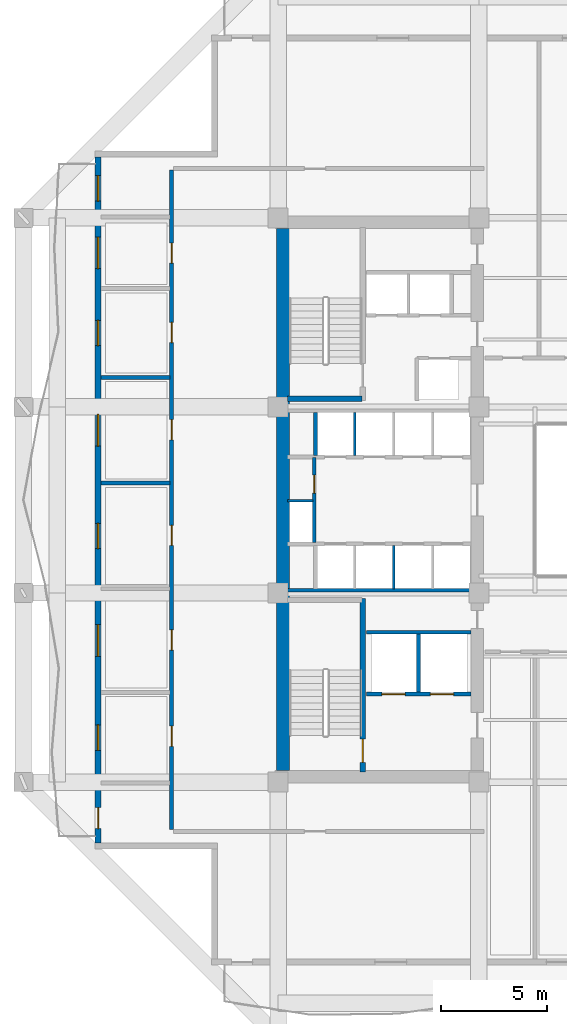
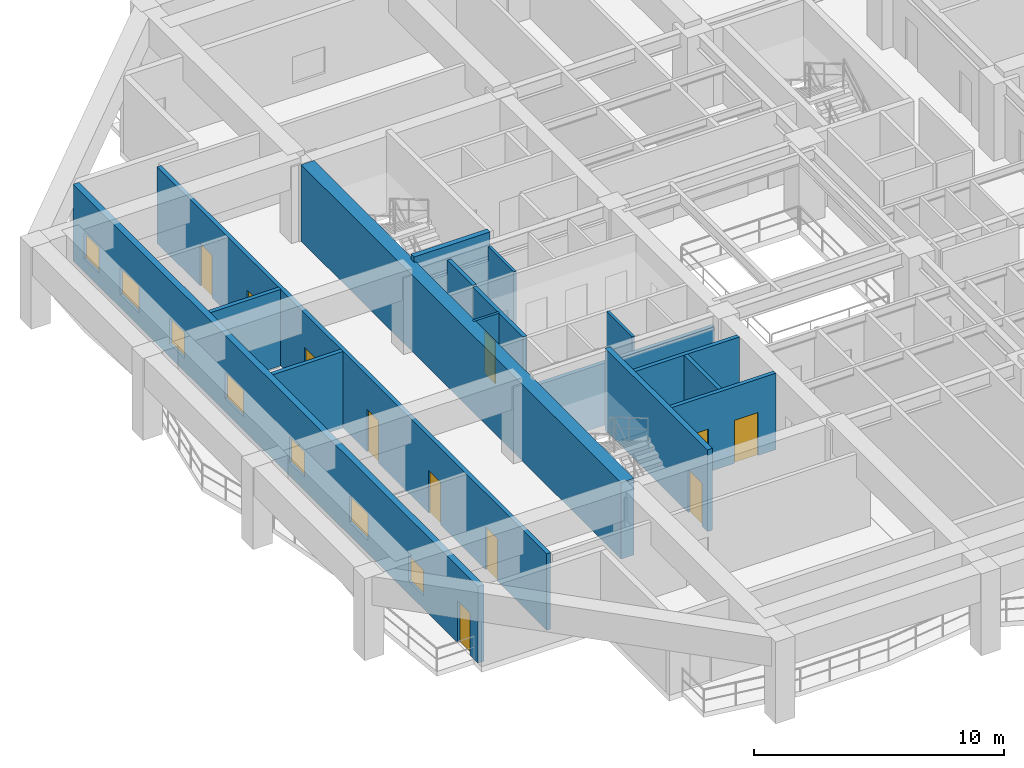
# One storey, part 3 of 13: 16 walls, 11 doors, 7 windows, 18 openings.
"""IFC4 building model written with IfcOpenShell, lengths in metres."""

from ifc_helpers import new_model, si_unit, direction, frame, frame_2d, origin, place, context, subcontext, project, spatial, rectangle, extrude, material, layer, layer_set, type_object, element, fill, save


model = new_model("IFC4")

# Units and contexts
model_context = context("Model", 3, precision=1e-05, world=origin(), true_north=direction((0.0, 1.0)))
body_context = subcontext(model_context, "Body", "Model", "MODEL_VIEW")
ifc_project = project(units=[si_unit("LENGTHUNIT", "METRE"), si_unit("AREAUNIT", "SQUARE_METRE"), si_unit("VOLUMEUNIT", "CUBIC_METRE"), si_unit("PLANEANGLEUNIT", "RADIAN"), si_unit("MASSUNIT", "GRAM", prefix="KILO")], contexts=[model_context])

# Site, building, storey
site_placement = place(None, origin())
site = spatial("IfcSite", under=ifc_project, at=site_placement, CompositionType="ELEMENT")
building_placement = place(site_placement, origin())
building = spatial("IfcBuilding", under=site, at=building_placement, Name="Kundavana Baori Tower", CompositionType="ELEMENT")
storey_placement = place(building_placement, frame((0.0, 0.0, 78.0)))
storey = spatial("IfcBuildingStorey", under=building, at=storey_placement, Name="L18", CompositionType="ELEMENT", Elevation=78.0)

# Wall, opening, door
ifc_material_1 = material(Name="Concrete C50/60", Category="concrete")
ifc_layer_1 = layer(ifc_material_1, 0.39990234375, Name="WL-CORE-400")
ifc_layer_set_1 = layer_set([ifc_layer_1], Name="Concrete C50/60")
wall_type_1 = type_object("IfcWallType", Name="WL-CORE-400", PredefinedType="SHEAR", material=ifc_layer_set_1)
wall_1_placement = place(storey_placement, frame((19.4599609375, 15.739990234375, 0.0), z_axis=(0.0, 0.0, 1.0), x_axis=(0.0, 1.0, 0.0)))
wall_1 = element("IfcWall", 1, at=wall_1_placement, inside=storey, type_object=wall_type_1, Name="WL-L18-ST1-E", PredefinedType="SHEAR", context=body_context, shape_type="SweptSolid", body=[
    extrude(rectangle(XDim=8.199951171875, YDim=0.239990234375, at=frame_2d((4.10009765625, 0.0))), origin(), (0.0, 0.0, 1.0), 4.0),
])
opening_1_placement = place(wall_1_placement, frame((0.449951171875, 0.0, 0.0)))
opening_1 = element("IfcOpeningElement", 2, at=opening_1_placement, cuts=wall_1, Name="Opening FD-110", PredefinedType="OPENING", context=body_context, shape_type="SweptSolid", body=[
    extrude(rectangle(XDim=1.10009765625, YDim=2.10009765625, at=frame_2d((0.550048828125, 1.050048828125))), frame((0.0, 0.1298828125, 0.0), z_axis=(0.0, -1.0, 0.0), x_axis=(1.0, 0.0, 0.0)), (0.0, 0.0, 1.0), 0.260009765625),
])
ifc_material_2 = material(Name="Galvanised Steel Fire-Rated Door Leaf", Category="steel")
door_type_1 = type_object("IfcDoorType", Name="DR-FD120-1100", OperationType="NOTDEFINED", PredefinedType="DOOR", material=ifc_material_2)
door_1_placement = place(opening_1_placement, origin())
door_1 = element("IfcDoor", 3, at=door_1_placement, inside=storey, type_object=door_type_1, Name="DR-L18-ST1", OperationType="SINGLE_SWING_LEFT", OverallHeight=2.10009765625, OverallWidth=1.10009765625, PredefinedType="DOOR", context=body_context, shape_type="SweptSolid", body=[
    extrude(rectangle(XDim=1.10009765625, YDim=2.10009765625, at=frame_2d((0.550048828125, 1.050048828125))), frame((0.0, 0.02490234375, 0.0), z_axis=(0.0, -1.0, 0.0), x_axis=(1.0, 0.0, 0.0)), (0.0, 0.0, 1.0), 0.050048828125),
])
fill(opening_1, door_1)

# Walls
wall_2_placement = place(storey_placement, frame((15.89990234375, 33.389892578125, 0.0), z_axis=(0.0, 0.0, 1.0), x_axis=(1.0, 0.0, 0.0)))
element("IfcWall", 4, at=wall_2_placement, inside=storey, type_object=wall_type_1, Name="WL-L18-ST2-S", PredefinedType="SHEAR", context=body_context, shape_type="SweptSolid", body=[
    extrude(rectangle(XDim=3.52001953125, YDim=0.239990234375, at=frame_2d((1.760009765625, 0.0))), origin(), (0.0, 0.0, 1.0), 4.0),
])
ifc_material_3 = material(Name="Concrete C60/75", Category="concrete")
ifc_layer_2 = layer(ifc_material_3, 0.60009765625, Name="WL-CORE-600")
ifc_layer_set_2 = layer_set([ifc_layer_2], Name="Concrete C60/75")
wall_type_2 = type_object("IfcWallType", Name="WL-CORE-600", PredefinedType="SHEAR", material=ifc_layer_set_2)
wall_3_placement = place(storey_placement, frame((15.68994140625, 15.81005859375, 0.0), z_axis=(0.0, 0.0, 1.0), x_axis=(0.0, 1.0, 0.0)))
element("IfcWall", 5, at=wall_3_placement, inside=storey, type_object=wall_type_2, Name="L18 Offset Core West Shear Wall", PredefinedType="SHEAR", context=body_context, shape_type="SweptSolid", body=[
    extrude(rectangle(XDim=25.6298828125, YDim=0.60009765625, at=frame_2d((12.81494140625, 0.0))), origin(), (0.0, 0.0, 1.0), 3.739990234375),
])

# Wall, openings, door, windows
ifc_material_4 = material(Name="Red-Buff Dholpur Sandstone Cladding on Concrete C40/50", Category="masonry")
ifc_layer_3 = layer(ifc_material_4, 0.280029296875, Name="WL-EXT-SAND-280")
ifc_layer_set_3 = layer_set([ifc_layer_3], Name="Red-Buff Dholpur Sandstone Cladding on Concrete C40/50")
wall_type_3 = type_object("IfcWallType", Name="WL-EXT-SAND-280", PredefinedType="STANDARD", material=ifc_layer_set_3)
wall_4_placement = place(storey_placement, frame((6.93994140625, 44.820068359375, 0.0), z_axis=(0.0, 0.0, 1.0), x_axis=(0.0, -1.0, 0.0)))
wall_4 = element("IfcWall", 6, at=wall_4_placement, inside=storey, type_object=wall_type_3, Name="L18 Exterior Insulated Facade Wall 10", PredefinedType="STANDARD", context=body_context, shape_type="SweptSolid", body=[
    extrude(rectangle(XDim=32.440185546875, YDim=0.280029296875, at=frame_2d((16.22021484375, 0.0))), origin(), (0.0, 0.0, 1.0), 3.739990234375),
])
opening_2_placement = place(wall_4_placement, frame((30.77001953125, 0.0, 0.0)))
opening_2 = element("IfcOpeningElement", 7, at=opening_2_placement, cuts=wall_4, Name="Opening BD-1", PredefinedType="OPENING", context=body_context, shape_type="SweptSolid", body=[
    extrude(rectangle(XDim=1.0, YDim=2.050048828125, at=frame_2d((0.5, 1.02490234375))), frame((0.0, 0.14990234375, 0.0), z_axis=(0.0, -1.0, 0.0), x_axis=(1.0, 0.0, 0.0)), (0.0, 0.0, 1.0), 0.300048828125),
])
opening_3_placement = place(wall_4_placement, frame((26.860107421875, 0.0, 0.64990234375)))
opening_3 = element("IfcOpeningElement", 8, at=opening_3_placement, cuts=wall_4, Name="Opening W-12", PredefinedType="OPENING", context=body_context, shape_type="SweptSolid", body=[
    extrude(rectangle(XDim=1.199951171875, YDim=1.25, at=frame_2d((0.60009765625, 0.625))), frame((0.0, 0.14990234375, 0.0), z_axis=(0.0, -1.0, 0.0), x_axis=(1.0, 0.0, 0.0)), (0.0, 0.0, 1.0), 0.300048828125),
])
opening_4_placement = place(wall_4_placement, frame((22.1201171875, 0.0, 0.64990234375)))
opening_4 = element("IfcOpeningElement", 9, at=opening_4_placement, cuts=wall_4, Name="Opening W-11", PredefinedType="OPENING", context=body_context, shape_type="SweptSolid", body=[
    extrude(rectangle(XDim=1.5, YDim=1.300048828125, at=frame_2d((0.75, 0.64990234375))), frame((0.0, 0.14990234375, 0.0), z_axis=(0.0, -1.0, 0.0), x_axis=(1.0, 0.0, 0.0)), (0.0, 0.0, 1.0), 0.300048828125),
])
opening_5_placement = place(wall_4_placement, frame((17.320068359375, 0.0, 0.64990234375)))
opening_5 = element("IfcOpeningElement", 10, at=opening_5_placement, cuts=wall_4, Name="Opening W-12", PredefinedType="OPENING", context=body_context, shape_type="SweptSolid", body=[
    extrude(rectangle(XDim=1.199951171875, YDim=1.25, at=frame_2d((0.60009765625, 0.625))), frame((0.0, 0.14990234375, 0.0), z_axis=(0.0, -1.0, 0.0), x_axis=(1.0, 0.0, 0.0)), (0.0, 0.0, 1.0), 0.300048828125),
])
opening_6_placement = place(wall_4_placement, frame((12.169921875, 0.0, 0.64990234375)))
opening_6 = element("IfcOpeningElement", 11, at=opening_6_placement, cuts=wall_4, Name="Opening W-11", PredefinedType="OPENING", context=body_context, shape_type="SweptSolid", body=[
    extrude(rectangle(XDim=1.5, YDim=1.300048828125, at=frame_2d((0.75, 0.64990234375))), frame((0.0, 0.14990234375, 0.0), z_axis=(0.0, -1.0, 0.0), x_axis=(1.0, 0.0, 0.0)), (0.0, 0.0, 1.0), 0.300048828125),
])
opening_7_placement = place(wall_4_placement, frame((7.719970703125, 0.0, 0.64990234375)))
opening_7 = element("IfcOpeningElement", 12, at=opening_7_placement, cuts=wall_4, Name="Opening W-12", PredefinedType="OPENING", context=body_context, shape_type="SweptSolid", body=[
    extrude(rectangle(XDim=1.199951171875, YDim=1.25, at=frame_2d((0.60009765625, 0.625))), frame((0.0, 0.14990234375, 0.0), z_axis=(0.0, -1.0, 0.0), x_axis=(1.0, 0.0, 0.0)), (0.0, 0.0, 1.0), 0.300048828125),
])
opening_8_placement = place(wall_4_placement, frame((3.780029296875, 0.0, 0.64990234375)))
opening_8 = element("IfcOpeningElement", 13, at=opening_8_placement, cuts=wall_4, Name="Opening W-11", PredefinedType="OPENING", context=body_context, shape_type="SweptSolid", body=[
    extrude(rectangle(XDim=1.5, YDim=1.300048828125, at=frame_2d((0.75, 0.64990234375))), frame((0.0, 0.14990234375, 0.0), z_axis=(0.0, -1.0, 0.0), x_axis=(1.0, 0.0, 0.0)), (0.0, 0.0, 1.0), 0.300048828125),
])
opening_9_placement = place(wall_4_placement, frame((0.875, 0.0, 0.64990234375)))
opening_9 = element("IfcOpeningElement", 14, at=opening_9_placement, cuts=wall_4, Name="Opening W-12", PredefinedType="OPENING", context=body_context, shape_type="SweptSolid", body=[
    extrude(rectangle(XDim=1.199951171875, YDim=1.25, at=frame_2d((0.60009765625, 0.625))), frame((0.0, 0.14990234375, 0.0), z_axis=(0.0, -1.0, 0.0), x_axis=(1.0, 0.0, 0.0)), (0.0, 0.0, 1.0), 0.300048828125),
])
ifc_material_5 = material(Name="Architectural Patinated Bronze Metalwork")
door_type_2 = type_object("IfcDoorType", Name="DR-EXT-LOG-1000", OperationType="NOTDEFINED", PredefinedType="DOOR", material=ifc_material_5)
door_2_placement = place(opening_2_placement, frame((1.0, 0.0, 0.0), z_axis=(0.0, 0.0, 1.0), x_axis=(-1.0, 0.0, 0.0)))
door_2 = element("IfcDoor", 15, at=door_2_placement, inside=storey, type_object=door_type_2, Name="L18 Loggia Balcony Access Door W", OperationType="SINGLE_SWING_RIGHT", OverallHeight=2.050048828125, OverallWidth=1.0, PredefinedType="DOOR", context=body_context, shape_type="SweptSolid", body=[
    extrude(rectangle(XDim=1.0, YDim=2.050048828125, at=frame_2d((0.5, 1.02490234375))), frame((0.0, 0.02490234375, 0.0), z_axis=(0.0, -1.0, 0.0), x_axis=(1.0, 0.0, 0.0)), (0.0, 0.0, 1.0), 0.050048828125),
])
fill(opening_2, door_2)
ifc_material_6 = material(Name="Double-Glazed Solar-Control Low-E Insulated Glass", Category="glass")
window_type_1 = type_object("IfcWindowType", Name="WIN-TRN-1200x1250", PartitioningType="SINGLE_PANEL", PredefinedType="WINDOW", material=ifc_material_6)
window_1_placement = place(opening_3_placement, origin())
window_1 = element("IfcWindow", 16, at=window_1_placement, inside=storey, type_object=window_type_1, Name="L18 Recessed Loggia Window W-2", OverallHeight=1.25, OverallWidth=1.199951171875, PartitioningType="SINGLE_PANEL", PredefinedType="WINDOW", context=body_context, shape_type="SweptSolid", body=[
    extrude(rectangle(XDim=1.199951171875, YDim=1.25, at=frame_2d((0.60009765625, 0.625))), frame((0.0, 0.030029296875, 0.0), z_axis=(0.0, -1.0, 0.0), x_axis=(1.0, 0.0, 0.0)), (0.0, 0.0, 1.0), 0.06005859375),
])
fill(opening_3, window_1)
window_2_placement = place(opening_5_placement, origin())
window_2 = element("IfcWindow", 17, at=window_2_placement, inside=storey, type_object=window_type_1, Name="L18 Recessed Loggia Window W-4", OverallHeight=1.25, OverallWidth=1.199951171875, PartitioningType="SINGLE_PANEL", PredefinedType="WINDOW", context=body_context, shape_type="SweptSolid", body=[
    extrude(rectangle(XDim=1.199951171875, YDim=1.25, at=frame_2d((0.60009765625, 0.625))), frame((0.0, 0.030029296875, 0.0), z_axis=(0.0, -1.0, 0.0), x_axis=(1.0, 0.0, 0.0)), (0.0, 0.0, 1.0), 0.06005859375),
])
fill(opening_5, window_2)
window_3_placement = place(opening_7_placement, origin())
window_3 = element("IfcWindow", 18, at=window_3_placement, inside=storey, type_object=window_type_1, Name="L18 Recessed Loggia Window W-6", OverallHeight=1.25, OverallWidth=1.199951171875, PartitioningType="SINGLE_PANEL", PredefinedType="WINDOW", context=body_context, shape_type="SweptSolid", body=[
    extrude(rectangle(XDim=1.199951171875, YDim=1.25, at=frame_2d((0.60009765625, 0.625))), frame((0.0, 0.030029296875, 0.0), z_axis=(0.0, -1.0, 0.0), x_axis=(1.0, 0.0, 0.0)), (0.0, 0.0, 1.0), 0.06005859375),
])
fill(opening_7, window_3)
window_4_placement = place(opening_9_placement, origin())
window_4 = element("IfcWindow", 19, at=window_4_placement, inside=storey, type_object=window_type_1, Name="L18 Recessed Loggia Window W-8", OverallHeight=1.25, OverallWidth=1.199951171875, PartitioningType="SINGLE_PANEL", PredefinedType="WINDOW", context=body_context, shape_type="SweptSolid", body=[
    extrude(rectangle(XDim=1.199951171875, YDim=1.25, at=frame_2d((0.60009765625, 0.625))), frame((0.0, 0.030029296875, 0.0), z_axis=(0.0, -1.0, 0.0), x_axis=(1.0, 0.0, 0.0)), (0.0, 0.0, 1.0), 0.06005859375),
])
fill(opening_9, window_4)
ifc_material_7 = material(Name="Double-Glazed Solar-Control Low-E Insulated Glass", Category="glass")
window_type_2 = type_object("IfcWindowType", Name="WIN-TRN-1500x1300", PartitioningType="SINGLE_PANEL", PredefinedType="WINDOW", material=ifc_material_7)
window_5_placement = place(opening_4_placement, origin())
window_5 = element("IfcWindow", 20, at=window_5_placement, inside=storey, type_object=window_type_2, Name="L18 Recessed Loggia Window W-3", OverallHeight=1.300048828125, OverallWidth=1.5, PartitioningType="SINGLE_PANEL", PredefinedType="WINDOW", context=body_context, shape_type="SweptSolid", body=[
    extrude(rectangle(XDim=1.5, YDim=1.300048828125, at=frame_2d((0.75, 0.64990234375))), frame((0.0, 0.030029296875, 0.0), z_axis=(0.0, -1.0, 0.0), x_axis=(1.0, 0.0, 0.0)), (0.0, 0.0, 1.0), 0.06005859375),
])
fill(opening_4, window_5)
window_6_placement = place(opening_6_placement, origin())
window_6 = element("IfcWindow", 21, at=window_6_placement, inside=storey, type_object=window_type_2, Name="L18 Recessed Loggia Window W-5", OverallHeight=1.300048828125, OverallWidth=1.5, PartitioningType="SINGLE_PANEL", PredefinedType="WINDOW", context=body_context, shape_type="SweptSolid", body=[
    extrude(rectangle(XDim=1.5, YDim=1.300048828125, at=frame_2d((0.75, 0.64990234375))), frame((0.0, 0.030029296875, 0.0), z_axis=(0.0, -1.0, 0.0), x_axis=(1.0, 0.0, 0.0)), (0.0, 0.0, 1.0), 0.06005859375),
])
fill(opening_6, window_6)
window_7_placement = place(opening_8_placement, origin())
window_7 = element("IfcWindow", 22, at=window_7_placement, inside=storey, type_object=window_type_2, Name="L18 Recessed Loggia Window W-7", OverallHeight=1.300048828125, OverallWidth=1.5, PartitioningType="SINGLE_PANEL", PredefinedType="WINDOW", context=body_context, shape_type="SweptSolid", body=[
    extrude(rectangle(XDim=1.5, YDim=1.300048828125, at=frame_2d((0.75, 0.64990234375))), frame((0.0, 0.030029296875, 0.0), z_axis=(0.0, -1.0, 0.0), x_axis=(1.0, 0.0, 0.0)), (0.0, 0.0, 1.0), 0.06005859375),
])
fill(opening_8, window_7)

# Walls
ifc_material_8 = material(Name="Acoustic Gypsum Plasterboard on Galvanised Steel Studs", Category="steel")
ifc_layer_4 = layer(ifc_material_8, 0.1201171875, Name="WL-PART-120")
ifc_layer_set_4 = layer_set([ifc_layer_4], Name="Acoustic Gypsum Plasterboard on Galvanised Steel Studs")
wall_type_4 = type_object("IfcWallType", Name="WL-PART-120", PredefinedType="PARTITIONING", material=ifc_layer_set_4)
wall_5_placement = place(storey_placement, frame((20.919921875, 24.39990234375, 0.0), z_axis=(0.0, 0.0, 1.0), x_axis=(0.0, 1.0, 0.0)))
element("IfcWall", 23, at=wall_5_placement, inside=storey, type_object=wall_type_4, Name="WL-L18-LPLOW-D2", PredefinedType="PARTITIONING", context=body_context, shape_type="SweptSolid", body=[
    extrude(rectangle(XDim=2.050048828125, YDim=0.1201171875, at=frame_2d((1.02490234375, 0.0))), origin(), (0.0, 0.0, 1.0), 3.739990234375),
])
wall_6_placement = place(storey_placement, frame((15.89990234375, 28.56005859375, 0.0), z_axis=(0.0, 0.0, 1.0), x_axis=(1.0, 0.0, 0.0)))
element("IfcWall", 24, at=wall_6_placement, inside=storey, type_object=wall_type_4, Name="WL-L18-RSRW-N", PredefinedType="PARTITIONING", context=body_context, shape_type="SweptSolid", body=[
    extrude(rectangle(XDim=1.2001953125, YDim=0.1201171875, at=frame_2d((0.60009765625, 0.0))), origin(), (0.0, 0.0, 1.0), 3.739990234375),
])
wall_7_placement = place(storey_placement, frame((19.080078125, 30.699951171875, 0.0), z_axis=(0.0, 0.0, 1.0), x_axis=(0.0, 1.0, 0.0)))
element("IfcWall", 25, at=wall_7_placement, inside=storey, type_object=wall_type_4, Name="WL-L18-LPMID-D1", PredefinedType="PARTITIONING", context=body_context, shape_type="SweptSolid", body=[
    extrude(rectangle(XDim=2.050048828125, YDim=0.1201171875, at=frame_2d((1.02490234375, 0.0))), origin(), (0.0, 0.0, 1.0), 3.739990234375),
])

# Wall, openings, doors
ifc_material_9 = material(Name="Autoclaved Aerated Concrete Blockwork Masonry", Category="masonry")
ifc_layer_5 = layer(ifc_material_9, 0.18505859375, Name="WL-PART-180")
ifc_layer_set_5 = layer_set([ifc_layer_5], Name="Autoclaved Aerated Concrete Blockwork Masonry")
wall_type_5 = type_object("IfcWallType", Name="WL-PART-180", PredefinedType="SOLIDWALL", material=ifc_layer_set_5)
wall_8_placement = place(storey_placement, frame((10.419921875, 13.0, 0.0), z_axis=(0.0, 0.0, 1.0), x_axis=(0.0, 1.0, 0.0)))
wall_8 = element("IfcWall", 26, at=wall_8_placement, inside=storey, type_object=wall_type_5, Name="WL-L18-OW", PredefinedType="SOLIDWALL", context=body_context, shape_type="SweptSolid", body=[
    extrude(rectangle(XDim=31.199951171875, YDim=0.18505859375, at=frame_2d((15.60009765625, 0.0))), origin(), (0.0, 0.0, 1.0), 3.739990234375),
])
opening_10_placement = place(wall_8_placement, frame((3.949951171875, 0.0, 0.0)))
opening_10 = element("IfcOpeningElement", 27, at=opening_10_placement, cuts=wall_8, Name="Opening ID-095", PredefinedType="OPENING", context=body_context, shape_type="SweptSolid", body=[
    extrude(rectangle(XDim=0.949951171875, YDim=2.080078125, at=frame_2d((0.47509765625, 1.0400390625))), frame((0.0, 0.1025390625, 0.0), z_axis=(0.0, -1.0, 0.0), x_axis=(1.0, 0.0, 0.0)), (0.0, 0.0, 1.0), 0.205078125),
])
opening_11_placement = place(wall_8_placement, frame((8.5, 0.0, 0.0)))
opening_11 = element("IfcOpeningElement", 28, at=opening_11_placement, cuts=wall_8, Name="Opening ID-095", PredefinedType="OPENING", context=body_context, shape_type="SweptSolid", body=[
    extrude(rectangle(XDim=0.949951171875, YDim=2.080078125, at=frame_2d((0.47509765625, 1.0400390625))), frame((0.0, 0.1025390625, 0.0), z_axis=(0.0, -1.0, 0.0), x_axis=(1.0, 0.0, 0.0)), (0.0, 0.0, 1.0), 0.205078125),
])
opening_12_placement = place(wall_8_placement, frame((13.449951171875, 0.0, 0.0)))
opening_12 = element("IfcOpeningElement", 29, at=opening_12_placement, cuts=wall_8, Name="Opening ID-095", PredefinedType="OPENING", context=body_context, shape_type="SweptSolid", body=[
    extrude(rectangle(XDim=0.949951171875, YDim=2.080078125, at=frame_2d((0.47509765625, 1.0400390625))), frame((0.0, 0.1025390625, 0.0), z_axis=(0.0, -1.0, 0.0), x_axis=(1.0, 0.0, 0.0)), (0.0, 0.0, 1.0), 0.205078125),
])
opening_13_placement = place(wall_8_placement, frame((18.449951171875, 0.0, 0.0)))
opening_13 = element("IfcOpeningElement", 30, at=opening_13_placement, cuts=wall_8, Name="Opening ID-095", PredefinedType="OPENING", context=body_context, shape_type="SweptSolid", body=[
    extrude(rectangle(XDim=0.949951171875, YDim=2.080078125, at=frame_2d((0.47509765625, 1.0400390625))), frame((0.0, 0.1025390625, 0.0), z_axis=(0.0, -1.0, 0.0), x_axis=(1.0, 0.0, 0.0)), (0.0, 0.0, 1.0), 0.205078125),
])
opening_14_placement = place(wall_8_placement, frame((23.050048828125, 0.0, 0.0)))
opening_14 = element("IfcOpeningElement", 31, at=opening_14_placement, cuts=wall_8, Name="Opening ID-095", PredefinedType="OPENING", context=body_context, shape_type="SweptSolid", body=[
    extrude(rectangle(XDim=0.949951171875, YDim=2.080078125, at=frame_2d((0.47509765625, 1.0400390625))), frame((0.0, 0.1025390625, 0.0), z_axis=(0.0, -1.0, 0.0), x_axis=(1.0, 0.0, 0.0)), (0.0, 0.0, 1.0), 0.205078125),
])
opening_15_placement = place(wall_8_placement, frame((26.800048828125, 0.0, 0.0)))
opening_15 = element("IfcOpeningElement", 32, at=opening_15_placement, cuts=wall_8, Name="Opening ID-095", PredefinedType="OPENING", context=body_context, shape_type="SweptSolid", body=[
    extrude(rectangle(XDim=0.949951171875, YDim=2.080078125, at=frame_2d((0.47509765625, 1.0400390625))), frame((0.0, 0.1025390625, 0.0), z_axis=(0.0, -1.0, 0.0), x_axis=(1.0, 0.0, 0.0)), (0.0, 0.0, 1.0), 0.205078125),
])
ifc_material_10 = material(Name="Engineered Teak Solid-Core Timber Veneer", Category="wood")
door_type_3 = type_object("IfcDoorType", Name="DR-INT-950", OperationType="NOTDEFINED", PredefinedType="DOOR", material=ifc_material_10)
door_3_placement = place(opening_10_placement, frame((0.949951171875, 0.0, 0.0), z_axis=(0.0, 0.0, 1.0), x_axis=(-1.0, 0.0, 0.0)))
door_3 = element("IfcDoor", 33, at=door_3_placement, inside=storey, type_object=door_type_3, Name="DR-L18-OFW1", OperationType="SINGLE_SWING_LEFT", OverallHeight=2.080078125, OverallWidth=0.949951171875, PredefinedType="DOOR", context=body_context, shape_type="SweptSolid", body=[
    extrude(rectangle(XDim=0.949951171875, YDim=2.080078125, at=frame_2d((0.47509765625, 1.0400390625))), frame((0.0, 0.02490234375, 0.0), z_axis=(0.0, -1.0, 0.0), x_axis=(1.0, 0.0, 0.0)), (0.0, 0.0, 1.0), 0.050048828125),
])
fill(opening_10, door_3)
door_4_placement = place(opening_11_placement, frame((0.949951171875, 0.0, 0.0), z_axis=(0.0, 0.0, 1.0), x_axis=(-1.0, 0.0, 0.0)))
door_4 = element("IfcDoor", 34, at=door_4_placement, inside=storey, type_object=door_type_3, Name="DR-L18-OFW2", OperationType="SINGLE_SWING_RIGHT", OverallHeight=2.080078125, OverallWidth=0.949951171875, PredefinedType="DOOR", context=body_context, shape_type="SweptSolid", body=[
    extrude(rectangle(XDim=0.949951171875, YDim=2.080078125, at=frame_2d((0.47509765625, 1.0400390625))), frame((0.0, 0.02490234375, 0.0), z_axis=(0.0, -1.0, 0.0), x_axis=(1.0, 0.0, 0.0)), (0.0, 0.0, 1.0), 0.050048828125),
])
fill(opening_11, door_4)
door_5_placement = place(opening_12_placement, frame((0.949951171875, 0.0, 0.0), z_axis=(0.0, 0.0, 1.0), x_axis=(-1.0, 0.0, 0.0)))
door_5 = element("IfcDoor", 35, at=door_5_placement, inside=storey, type_object=door_type_3, Name="DR-L18-OFW3", OperationType="SINGLE_SWING_LEFT", OverallHeight=2.080078125, OverallWidth=0.949951171875, PredefinedType="DOOR", context=body_context, shape_type="SweptSolid", body=[
    extrude(rectangle(XDim=0.949951171875, YDim=2.080078125, at=frame_2d((0.47509765625, 1.0400390625))), frame((0.0, 0.02490234375, 0.0), z_axis=(0.0, -1.0, 0.0), x_axis=(1.0, 0.0, 0.0)), (0.0, 0.0, 1.0), 0.050048828125),
])
fill(opening_12, door_5)
door_6_placement = place(opening_13_placement, frame((0.949951171875, 0.0, 0.0), z_axis=(0.0, 0.0, 1.0), x_axis=(-1.0, 0.0, 0.0)))
door_6 = element("IfcDoor", 36, at=door_6_placement, inside=storey, type_object=door_type_3, Name="DR-L18-OFW4", OperationType="SINGLE_SWING_RIGHT", OverallHeight=2.080078125, OverallWidth=0.949951171875, PredefinedType="DOOR", context=body_context, shape_type="SweptSolid", body=[
    extrude(rectangle(XDim=0.949951171875, YDim=2.080078125, at=frame_2d((0.47509765625, 1.0400390625))), frame((0.0, 0.02490234375, 0.0), z_axis=(0.0, -1.0, 0.0), x_axis=(1.0, 0.0, 0.0)), (0.0, 0.0, 1.0), 0.050048828125),
])
fill(opening_13, door_6)
door_7_placement = place(opening_14_placement, frame((0.949951171875, 0.0, 0.0), z_axis=(0.0, 0.0, 1.0), x_axis=(-1.0, 0.0, 0.0)))
door_7 = element("IfcDoor", 37, at=door_7_placement, inside=storey, type_object=door_type_3, Name="DR-L18-OFW5", OperationType="SINGLE_SWING_LEFT", OverallHeight=2.080078125, OverallWidth=0.949951171875, PredefinedType="DOOR", context=body_context, shape_type="SweptSolid", body=[
    extrude(rectangle(XDim=0.949951171875, YDim=2.080078125, at=frame_2d((0.47509765625, 1.0400390625))), frame((0.0, 0.02490234375, 0.0), z_axis=(0.0, -1.0, 0.0), x_axis=(1.0, 0.0, 0.0)), (0.0, 0.0, 1.0), 0.050048828125),
])
fill(opening_14, door_7)
door_8_placement = place(opening_15_placement, frame((0.949951171875, 0.0, 0.0), z_axis=(0.0, 0.0, 1.0), x_axis=(-1.0, 0.0, 0.0)))
door_8 = element("IfcDoor", 38, at=door_8_placement, inside=storey, type_object=door_type_3, Name="DR-L18-OFW6", OperationType="SINGLE_SWING_RIGHT", OverallHeight=2.080078125, OverallWidth=0.949951171875, PredefinedType="DOOR", context=body_context, shape_type="SweptSolid", body=[
    extrude(rectangle(XDim=0.949951171875, YDim=2.080078125, at=frame_2d((0.47509765625, 1.0400390625))), frame((0.0, 0.02490234375, 0.0), z_axis=(0.0, -1.0, 0.0), x_axis=(1.0, 0.0, 0.0)), (0.0, 0.0, 1.0), 0.050048828125),
])
fill(opening_15, door_8)

# Walls
for number, where, z_axis, x_axis, name in (
    (39, (7.080078125, 29.39990234375, 0.0), (0.0, 0.0, 1.0), (1.0, 0.0, 0.0), "WL-L18-WD3"),
    (40, (7.080078125, 34.39990234375, 0.0), (0.0, 0.0, 1.0), (1.0, 0.0, 0.0), "WL-L18-WD4"),
):
    element("IfcWall", number, at=place(storey_placement, frame(where, z_axis=z_axis, x_axis=x_axis)), inside=storey, type_object=wall_type_5, Name=name, PredefinedType="SOLIDWALL", context=body_context, shape_type="SweptSolid", body=[
        extrude(rectangle(XDim=3.260009765625, YDim=0.18505859375, at=frame_2d((1.6298828125, 0.0))), origin(), (0.0, 0.0, 1.0), 3.739990234375),
    ])

# Wall, openings, doors
ifc_material_11 = material(Name="Autoclaved Aerated Concrete Blockwork Masonry", Category="masonry")
ifc_layer_6 = layer(ifc_material_11, 0.179931640625, Name="WL-SHAFT-180")
ifc_layer_set_6 = layer_set([ifc_layer_6], Name="Autoclaved Aerated Concrete Blockwork Masonry")
wall_type_6 = type_object("IfcWallType", Name="WL-SHAFT-180", PredefinedType="SOLIDWALL", material=ifc_layer_set_6)
wall_9_placement = place(storey_placement, frame((19.639892578125, 19.419921875, 0.0), z_axis=(0.0, 0.0, 1.0), x_axis=(1.0, 0.0, 0.0)))
wall_9 = element("IfcWall", 41, at=wall_9_placement, inside=storey, type_object=wall_type_6, Name="WL-L18-FFL-S", PredefinedType="SOLIDWALL", context=body_context, shape_type="SweptSolid", body=[
    extrude(rectangle(XDim=4.940185546875, YDim=0.179931640625, at=frame_2d((2.47021484375, 0.0))), origin(), (0.0, 0.0, 1.0), 3.739990234375),
])
opening_16_placement = place(wall_9_placement, frame((0.719970703125, 0.0, 0.0)))
opening_16 = element("IfcOpeningElement", 42, at=opening_16_placement, cuts=wall_9, Name="Opening LD-110", PredefinedType="OPENING", context=body_context, shape_type="SweptSolid", body=[
    extrude(rectangle(XDim=1.10009765625, YDim=2.10009765625, at=frame_2d((0.550048828125, 1.050048828125))), frame((0.0, 0.10009765625, 0.0), z_axis=(0.0, -1.0, 0.0), x_axis=(1.0, 0.0, 0.0)), (0.0, 0.0, 1.0), 0.199951171875),
])
opening_17_placement = place(wall_9_placement, frame((3.02001953125, 0.0, 0.0)))
opening_17 = element("IfcOpeningElement", 43, at=opening_17_placement, cuts=wall_9, Name="Opening LD-110", PredefinedType="OPENING", context=body_context, shape_type="SweptSolid", body=[
    extrude(rectangle(XDim=1.10009765625, YDim=2.10009765625, at=frame_2d((0.550048828125, 1.050048828125))), frame((0.0, 0.10009765625, 0.0), z_axis=(0.0, -1.0, 0.0), x_axis=(1.0, 0.0, 0.0)), (0.0, 0.0, 1.0), 0.199951171875),
])
ifc_material_12 = material(Name="Galvanised Steel Fire-Rated Door Leaf", Category="steel")
door_type_4 = type_object("IfcDoorType", Name="DR-SLIDE-LD1100", OperationType="NOTDEFINED", PredefinedType="DOOR", material=ifc_material_12)
door_9_placement = place(opening_16_placement, origin())
door_9 = element("IfcDoor", 44, at=door_9_placement, inside=storey, type_object=door_type_4, Name="DR-L18-LD-FFL-1", OperationType="DOUBLE_DOOR_SLIDING", OverallHeight=2.10009765625, OverallWidth=1.10009765625, PredefinedType="DOOR", context=body_context, shape_type="SweptSolid", body=[
    extrude(rectangle(XDim=1.10009765625, YDim=2.10009765625, at=frame_2d((0.550048828125, 1.050048828125))), frame((0.0, 0.02490234375, 0.0), z_axis=(0.0, -1.0, 0.0), x_axis=(1.0, 0.0, 0.0)), (0.0, 0.0, 1.0), 0.050048828125),
])
fill(opening_16, door_9)
door_10_placement = place(opening_17_placement, origin())
door_10 = element("IfcDoor", 45, at=door_10_placement, inside=storey, type_object=door_type_4, Name="DR-L18-LD-FFL-2", OperationType="DOUBLE_DOOR_SLIDING", OverallHeight=2.10009765625, OverallWidth=1.10009765625, PredefinedType="DOOR", context=body_context, shape_type="SweptSolid", body=[
    extrude(rectangle(XDim=1.10009765625, YDim=2.10009765625, at=frame_2d((0.550048828125, 1.050048828125))), frame((0.0, 0.02490234375, 0.0), z_axis=(0.0, -1.0, 0.0), x_axis=(1.0, 0.0, 0.0)), (0.0, 0.0, 1.0), 0.050048828125),
])
fill(opening_17, door_10)

# Walls
wall_10_placement = place(storey_placement, frame((22.10009765625, 19.510009765625, 0.0), z_axis=(0.0, 0.0, 1.0), x_axis=(0.0, 1.0, 0.0)))
element("IfcWall", 46, at=wall_10_placement, inside=storey, type_object=wall_type_6, Name="WL-L18-FFL-MID", PredefinedType="SOLIDWALL", context=body_context, shape_type="SweptSolid", body=[
    extrude(rectangle(XDim=2.739990234375, YDim=0.179931640625, at=frame_2d((1.3701171875, 0.0))), origin(), (0.0, 0.0, 1.0), 3.739990234375),
])
wall_11_placement = place(storey_placement, frame((19.639892578125, 22.340087890625, 0.0), z_axis=(0.0, 0.0, 1.0), x_axis=(1.0, 0.0, 0.0)))
element("IfcWall", 47, at=wall_11_placement, inside=storey, type_object=wall_type_6, Name="WL-L18-FFL-N", PredefinedType="SOLIDWALL", context=body_context, shape_type="SweptSolid", body=[
    extrude(rectangle(XDim=4.940185546875, YDim=0.179931640625, at=frame_2d((2.47021484375, 0.0))), origin(), (0.0, 0.0, 1.0), 3.739990234375),
])
wall_12_placement = place(storey_placement, frame((15.89990234375, 24.330078125, 0.0), z_axis=(0.0, 0.0, 1.0), x_axis=(1.0, 0.0, 0.0)))
element("IfcWall", 48, at=wall_12_placement, inside=storey, type_object=wall_type_6, Name="WL-L18-LPLOW-S", PredefinedType="SOLIDWALL", context=body_context, shape_type="SweptSolid", body=[
    extrude(rectangle(XDim=8.68017578125, YDim=0.179931640625, at=frame_2d((4.340087890625, 0.0))), origin(), (0.0, 0.0, 1.0), 3.0400390625),
])

# Wall, opening, door
wall_13_placement = place(storey_placement, frame((17.159912109375, 26.580078125, 0.0), z_axis=(0.0, 0.0, 1.0), x_axis=(0.0, 1.0, 0.0)))
wall_13 = element("IfcWall", 49, at=wall_13_placement, inside=storey, type_object=wall_type_6, Name="WL-L18-RSRW-E", PredefinedType="SOLIDWALL", context=body_context, shape_type="SweptSolid", body=[
    extrude(rectangle(XDim=4.02001953125, YDim=0.179931640625, at=frame_2d((2.010009765625, 0.0))), origin(), (0.0, 0.0, 1.0), 3.739990234375),
])
opening_18_placement = place(wall_13_placement, frame((2.35009765625, 0.0, 0.0)))
opening_18 = element("IfcOpeningElement", 50, at=opening_18_placement, cuts=wall_13, Name="Opening FD-085", PredefinedType="OPENING", context=body_context, shape_type="SweptSolid", body=[
    extrude(rectangle(XDim=0.85009765625, YDim=2.06005859375, at=frame_2d((0.425048828125, 1.030029296875))), frame((0.0, 0.10009765625, 0.0), z_axis=(0.0, -1.0, 0.0), x_axis=(1.0, 0.0, 0.0)), (0.0, 0.0, 1.0), 0.199951171875),
])
ifc_material_13 = material(Name="Galvanised Steel Fire-Rated Door Leaf", Category="steel")
door_type_5 = type_object("IfcDoorType", Name="DR-FD60-850", OperationType="NOTDEFINED", PredefinedType="DOOR", material=ifc_material_13)
door_11_placement = place(opening_18_placement, origin())
door_11 = element("IfcDoor", 51, at=door_11_placement, inside=storey, type_object=door_type_5, Name="DR-L18-CLN", OperationType="SINGLE_SWING_RIGHT", OverallHeight=2.06005859375, OverallWidth=0.85009765625, PredefinedType="DOOR", context=body_context, shape_type="SweptSolid", body=[
    extrude(rectangle(XDim=0.85009765625, YDim=2.06005859375, at=frame_2d((0.425048828125, 1.030029296875))), frame((0.0, 0.02490234375, 0.0), z_axis=(0.0, -1.0, 0.0), x_axis=(1.0, 0.0, 0.0)), (0.0, 0.0, 1.0), 0.050048828125),
])
fill(opening_18, door_11)

# Wall
wall_14_placement = place(storey_placement, frame((17.219970703125, 30.699951171875, 0.0), z_axis=(0.0, 0.0, 1.0), x_axis=(0.0, 1.0, 0.0)))
element("IfcWall", 52, at=wall_14_placement, inside=storey, type_object=wall_type_6, Name="WL-L18-LPMID-W", PredefinedType="SOLIDWALL", context=body_context, shape_type="SweptSolid", body=[
    extrude(rectangle(XDim=2.050048828125, YDim=0.179931640625, at=frame_2d((1.02490234375, 0.0))), origin(), (0.0, 0.0, 1.0), 3.739990234375),
])

save(model, "model.ifc")
